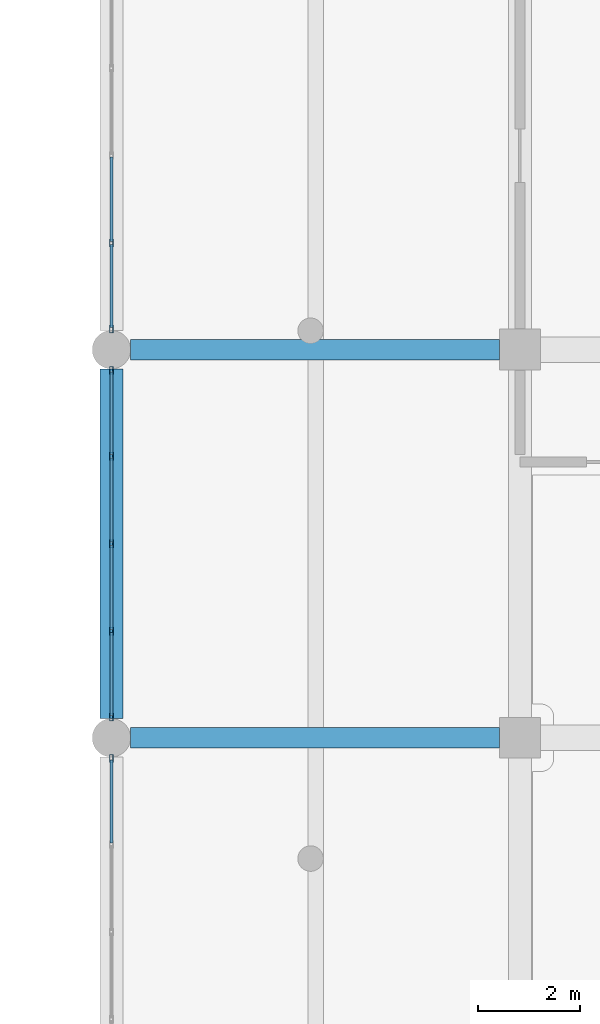
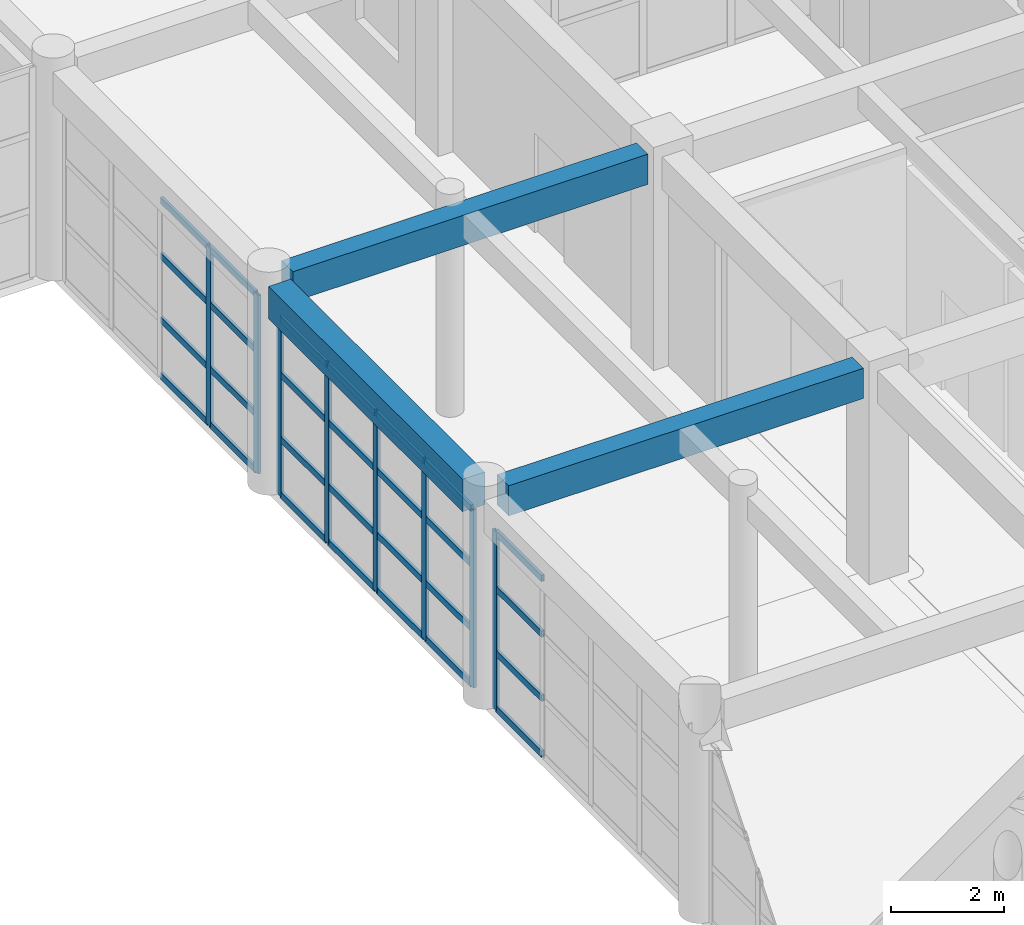
# One storey, part 18 of 101: 36 members, 3 beams, 3 elements without a shape of their own.
"""IFC4 building model written with IfcOpenShell, lengths in metres."""

from ifc_helpers import new_model, si_unit, direction, frame, origin, origin_2d, place, context, subcontext, project, spatial, rectangle, hollow_rectangle, extrude, material, material_profile, profile_set, type_object, element, aggregate, save


model = new_model("IFC4")

# Units and contexts
model_context = context("Model", 3, precision=1e-05, world=origin(), true_north=direction((0.0, 1.0)))
body_context = subcontext(model_context, "Body", "Model", "MODEL_VIEW")
ifc_project = project(units=[si_unit("LENGTHUNIT", "METRE"), si_unit("AREAUNIT", "SQUARE_METRE"), si_unit("VOLUMEUNIT", "CUBIC_METRE"), si_unit("PLANEANGLEUNIT", "RADIAN"), si_unit("MASSUNIT", "GRAM", prefix="KILO")], contexts=[model_context])

# Site, building, storey
site_placement = place(None, origin())
site = spatial("IfcSite", under=ifc_project, at=site_placement, CompositionType="ELEMENT")
building_placement = place(site_placement, origin())
building = spatial("IfcBuilding", under=site, at=building_placement, Name="Zantavel Square City Hall", CompositionType="ELEMENT")
storey_placement = place(building_placement, frame((0.0, 0.0, 5.39990234375)))
storey = spatial("IfcBuildingStorey", under=building, at=storey_placement, Name="L02", CompositionType="ELEMENT", Elevation=5.39990234375)

# Curtain wall, member
ifc_material_1 = material(Name="Anodised aluminium 6063-T6", Category="aluminium")
curtain_wall_type = type_object("IfcCurtainWallType", Name="Curtain Wall CRT 6850x3840", PredefinedType="USERDEFINED", material=ifc_material_1)
curtain_wall_1_placement = place(storey_placement, origin())
curtain_wall_1 = element("IfcCurtainWall", 1, at=curtain_wall_1_placement, inside=storey, type_object=curtain_wall_type, Name="L02 Glazed Curtain Wall CW-L02-078", ObjectType="GLAZED CURTAIN WALL", PredefinedType="USERDEFINED")
ifc_material_profile_1 = material_profile(ifc_material_1, hollow_rectangle(XDim=0.06494140625, YDim=0.14990234375, WallThickness=0.00390625, at=origin_2d()), Name="ALU 65x150x4")
ifc_profile_set_1 = profile_set([ifc_material_profile_1], Name="Anodised aluminium 6063-T6")
member_type_1 = type_object("IfcMemberType", Name="CW Mullion ALU 65x150x4", PredefinedType="MULLION", material=ifc_profile_set_1)
member_1_placement = place(storey_placement, frame((48.0, 52.794921875, 0.0), z_axis=(0.0, 0.0, 1.0), x_axis=(-1.0, 0.0, 0.0)))
member_1 = element("IfcMember", 2, at=member_1_placement, type_object=member_type_1, Name="CW-078 mullion 5", PredefinedType="MULLION", context=body_context, shape_type="SweptSolid", body=[
    extrude(hollow_rectangle(XDim=0.06494140625, YDim=0.14990234375, WallThickness=0.00390625, at=origin_2d()), origin(), (0.0, 0.0, 1.0), 3.840087890625),
])

# Curtain wall, members
curtain_wall_2_placement = place(storey_placement, origin())
curtain_wall_2 = element("IfcCurtainWall", 3, at=curtain_wall_2_placement, inside=storey, type_object=curtain_wall_type, Name="L02 Glazed Curtain Wall CW-L02-079", ObjectType="GLAZED CURTAIN WALL", PredefinedType="USERDEFINED")
member_2_placement = place(storey_placement, frame((48.0, 53.60498046875, 0.0), z_axis=(0.0, 0.0, 1.0), x_axis=(-1.0, 0.0, 0.0)))
member_2 = element("IfcMember", 4, at=member_2_placement, type_object=member_type_1, Name="CW-079 mullion 1", PredefinedType="MULLION", context=body_context, shape_type="SweptSolid", body=[
    extrude(hollow_rectangle(XDim=0.06494140625, YDim=0.14990234375, WallThickness=0.00390625, at=origin_2d()), origin(), (0.0, 0.0, 1.0), 3.840087890625),
])
member_3_placement = place(storey_placement, frame((48.0, 55.28759765625, 0.0), z_axis=(0.0, 0.0, 1.0), x_axis=(-1.0, 0.0, 0.0)))
member_3 = element("IfcMember", 5, at=member_3_placement, type_object=member_type_1, Name="CW-079 mullion 2", PredefinedType="MULLION", context=body_context, shape_type="SweptSolid", body=[
    extrude(hollow_rectangle(XDim=0.06494140625, YDim=0.14990234375, WallThickness=0.00390625, at=origin_2d()), origin(), (0.0, 0.0, 1.0), 3.840087890625),
])
member_4_placement = place(storey_placement, frame((48.0, 57.0, 0.0), z_axis=(0.0, 0.0, 1.0), x_axis=(-1.0, 0.0, 0.0)))
member_4 = element("IfcMember", 6, at=member_4_placement, type_object=member_type_1, Name="CW-079 mullion 3", PredefinedType="MULLION", context=body_context, shape_type="SweptSolid", body=[
    extrude(hollow_rectangle(XDim=0.06494140625, YDim=0.14990234375, WallThickness=0.00390625, at=origin_2d()), origin(), (0.0, 0.0, 1.0), 3.840087890625),
])
member_5_placement = place(storey_placement, frame((48.0, 58.71240234375, 0.0), z_axis=(0.0, 0.0, 1.0), x_axis=(-1.0, 0.0, 0.0)))
member_5 = element("IfcMember", 7, at=member_5_placement, type_object=member_type_1, Name="CW-079 mullion 4", PredefinedType="MULLION", context=body_context, shape_type="SweptSolid", body=[
    extrude(hollow_rectangle(XDim=0.06494140625, YDim=0.14990234375, WallThickness=0.00390625, at=origin_2d()), origin(), (0.0, 0.0, 1.0), 3.840087890625),
])
member_6_placement = place(storey_placement, frame((48.0, 60.39501953125, 0.0), z_axis=(0.0, 0.0, 1.0), x_axis=(-1.0, 0.0, 0.0)))
member_6 = element("IfcMember", 8, at=member_6_placement, type_object=member_type_1, Name="CW-079 mullion 5", PredefinedType="MULLION", context=body_context, shape_type="SweptSolid", body=[
    extrude(hollow_rectangle(XDim=0.06494140625, YDim=0.14990234375, WallThickness=0.00390625, at=origin_2d()), origin(), (0.0, 0.0, 1.0), 3.840087890625),
])

curtain_wall_3_placement = place(storey_placement, origin())
curtain_wall_3 = element("IfcCurtainWall", 9, at=curtain_wall_3_placement, inside=storey, type_object=curtain_wall_type, Name="L02 Glazed Curtain Wall CW-L02-080", ObjectType="GLAZED CURTAIN WALL", PredefinedType="USERDEFINED")
member_7_placement = place(storey_placement, frame((48.0, 61.205078125, 0.0), z_axis=(0.0, 0.0, 1.0), x_axis=(-1.0, 0.0, 0.0)))
member_7 = element("IfcMember", 10, at=member_7_placement, type_object=member_type_1, Name="CW-080 mullion 1", PredefinedType="MULLION", context=body_context, shape_type="SweptSolid", body=[
    extrude(hollow_rectangle(XDim=0.06494140625, YDim=0.14990234375, WallThickness=0.00390625, at=origin_2d()), origin(), (0.0, 0.0, 1.0), 3.840087890625),
])
member_8_placement = place(storey_placement, frame((48.0, 62.887451171875, 0.0), z_axis=(0.0, 0.0, 1.0), x_axis=(-1.0, 0.0, 0.0)))
member_8 = element("IfcMember", 11, at=member_8_placement, type_object=member_type_1, Name="CW-080 mullion 2", PredefinedType="MULLION", context=body_context, shape_type="SweptSolid", body=[
    extrude(hollow_rectangle(XDim=0.06494140625, YDim=0.14990234375, WallThickness=0.00390625, at=origin_2d()), origin(), (0.0, 0.0, 1.0), 3.840087890625),
])

# Member
ifc_material_profile_2 = material_profile(ifc_material_1, hollow_rectangle(XDim=0.06005859375, YDim=0.139892578125, WallThickness=0.00390625, at=origin_2d()), Name="ALU 60x140x4")
ifc_profile_set_2 = profile_set([ifc_material_profile_2], Name="Anodised aluminium 6063-T6")
member_type_2 = type_object("IfcMemberType", Name="CW Transom ALU 60x140x4", PredefinedType="USERDEFINED", material=ifc_profile_set_2)
member_9_placement = place(storey_placement, frame((48.0, 51.142578125, 0.030029296875), z_axis=(0.0, 1.0, 0.0), x_axis=(-1.0, 0.0, 0.0)))
member_9 = element("IfcMember", 12, at=member_9_placement, type_object=member_type_2, Name="CW-078 transom 4.1", ObjectType="TRANSOM", PredefinedType="USERDEFINED", context=body_context, shape_type="SweptSolid", body=[
    extrude(hollow_rectangle(XDim=0.06005859375, YDim=0.139892578125, WallThickness=0.00390625, at=origin_2d()), origin(), (0.0, 0.0, 1.0), 1.622314453125),
])

member_10_placement = place(storey_placement, frame((48.0, 51.142578125, 1.22900390625), z_axis=(0.0, 1.0, 0.0), x_axis=(-1.0, 0.0, 0.0)))
member_10 = element("IfcMember", 13, at=member_10_placement, type_object=member_type_2, Name="CW-078 transom 4.2", ObjectType="TRANSOM", PredefinedType="USERDEFINED", context=body_context, shape_type="SweptSolid", body=[
    extrude(hollow_rectangle(XDim=0.06005859375, YDim=0.139892578125, WallThickness=0.00390625, at=origin_2d()), origin(), (0.0, 0.0, 1.0), 1.622314453125),
])

member_11_placement = place(storey_placement, frame((48.0, 51.142578125, 2.611083984375), z_axis=(0.0, 1.0, 0.0), x_axis=(-1.0, 0.0, 0.0)))
member_11 = element("IfcMember", 14, at=member_11_placement, type_object=member_type_2, Name="CW-078 transom 4.3", ObjectType="TRANSOM", PredefinedType="USERDEFINED", context=body_context, shape_type="SweptSolid", body=[
    extrude(hollow_rectangle(XDim=0.06005859375, YDim=0.139892578125, WallThickness=0.00390625, at=origin_2d()), origin(), (0.0, 0.0, 1.0), 1.622314453125),
])

member_12_placement = place(storey_placement, frame((48.0, 51.142578125, 3.81005859375), z_axis=(0.0, 1.0, 0.0), x_axis=(-1.0, 0.0, 0.0)))
member_12 = element("IfcMember", 15, at=member_12_placement, type_object=member_type_2, Name="CW-078 transom 4.4", ObjectType="TRANSOM", PredefinedType="USERDEFINED", context=body_context, shape_type="SweptSolid", body=[
    extrude(hollow_rectangle(XDim=0.06005859375, YDim=0.139892578125, WallThickness=0.00390625, at=origin_2d()), origin(), (0.0, 0.0, 1.0), 1.622314453125),
])

aggregate(curtain_wall_1, [member_1, member_9, member_10, member_11, member_12])

member_13_placement = place(storey_placement, frame((48.0, 53.635009765625, 0.030029296875), z_axis=(0.0, 1.0, 0.0), x_axis=(-1.0, 0.0, 0.0)))
member_13 = element("IfcMember", 16, at=member_13_placement, type_object=member_type_2, Name="CW-079 transom 1.1", ObjectType="TRANSOM", PredefinedType="USERDEFINED", context=body_context, shape_type="SweptSolid", body=[
    extrude(hollow_rectangle(XDim=0.06005859375, YDim=0.139892578125, WallThickness=0.00390625, at=origin_2d()), origin(), (0.0, 0.0, 1.0), 1.62255859375),
])

member_14_placement = place(storey_placement, frame((48.0, 53.635009765625, 1.22900390625), z_axis=(0.0, 1.0, 0.0), x_axis=(-1.0, 0.0, 0.0)))
member_14 = element("IfcMember", 17, at=member_14_placement, type_object=member_type_2, Name="CW-079 transom 1.2", ObjectType="TRANSOM", PredefinedType="USERDEFINED", context=body_context, shape_type="SweptSolid", body=[
    extrude(hollow_rectangle(XDim=0.06005859375, YDim=0.139892578125, WallThickness=0.00390625, at=origin_2d()), origin(), (0.0, 0.0, 1.0), 1.62255859375),
])

member_15_placement = place(storey_placement, frame((48.0, 53.635009765625, 2.611083984375), z_axis=(0.0, 1.0, 0.0), x_axis=(-1.0, 0.0, 0.0)))
member_15 = element("IfcMember", 18, at=member_15_placement, type_object=member_type_2, Name="CW-079 transom 1.3", ObjectType="TRANSOM", PredefinedType="USERDEFINED", context=body_context, shape_type="SweptSolid", body=[
    extrude(hollow_rectangle(XDim=0.06005859375, YDim=0.139892578125, WallThickness=0.00390625, at=origin_2d()), origin(), (0.0, 0.0, 1.0), 1.62255859375),
])

member_16_placement = place(storey_placement, frame((48.0, 53.635009765625, 3.81005859375), z_axis=(0.0, 1.0, 0.0), x_axis=(-1.0, 0.0, 0.0)))
member_16 = element("IfcMember", 19, at=member_16_placement, type_object=member_type_2, Name="CW-079 transom 1.4", ObjectType="TRANSOM", PredefinedType="USERDEFINED", context=body_context, shape_type="SweptSolid", body=[
    extrude(hollow_rectangle(XDim=0.06005859375, YDim=0.139892578125, WallThickness=0.00390625, at=origin_2d()), origin(), (0.0, 0.0, 1.0), 1.62255859375),
])

member_17_placement = place(storey_placement, frame((48.0, 55.3173828125, 0.030029296875), z_axis=(0.0, 1.0, 0.0), x_axis=(-1.0, 0.0, 0.0)))
member_17 = element("IfcMember", 20, at=member_17_placement, type_object=member_type_2, Name="CW-079 transom 2.1", ObjectType="TRANSOM", PredefinedType="USERDEFINED", context=body_context, shape_type="SweptSolid", body=[
    extrude(hollow_rectangle(XDim=0.06005859375, YDim=0.139892578125, WallThickness=0.00390625, at=origin_2d()), origin(), (0.0, 0.0, 1.0), 1.652587890625),
])

member_18_placement = place(storey_placement, frame((48.0, 55.3173828125, 1.22900390625), z_axis=(0.0, 1.0, 0.0), x_axis=(-1.0, 0.0, 0.0)))
member_18 = element("IfcMember", 21, at=member_18_placement, type_object=member_type_2, Name="CW-079 transom 2.2", ObjectType="TRANSOM", PredefinedType="USERDEFINED", context=body_context, shape_type="SweptSolid", body=[
    extrude(hollow_rectangle(XDim=0.06005859375, YDim=0.139892578125, WallThickness=0.00390625, at=origin_2d()), origin(), (0.0, 0.0, 1.0), 1.652587890625),
])

member_19_placement = place(storey_placement, frame((48.0, 55.3173828125, 2.611083984375), z_axis=(0.0, 1.0, 0.0), x_axis=(-1.0, 0.0, 0.0)))
member_19 = element("IfcMember", 22, at=member_19_placement, type_object=member_type_2, Name="CW-079 transom 2.3", ObjectType="TRANSOM", PredefinedType="USERDEFINED", context=body_context, shape_type="SweptSolid", body=[
    extrude(hollow_rectangle(XDim=0.06005859375, YDim=0.139892578125, WallThickness=0.00390625, at=origin_2d()), origin(), (0.0, 0.0, 1.0), 1.652587890625),
])

member_20_placement = place(storey_placement, frame((48.0, 55.3173828125, 3.81005859375), z_axis=(0.0, 1.0, 0.0), x_axis=(-1.0, 0.0, 0.0)))
member_20 = element("IfcMember", 23, at=member_20_placement, type_object=member_type_2, Name="CW-079 transom 2.4", ObjectType="TRANSOM", PredefinedType="USERDEFINED", context=body_context, shape_type="SweptSolid", body=[
    extrude(hollow_rectangle(XDim=0.06005859375, YDim=0.139892578125, WallThickness=0.00390625, at=origin_2d()), origin(), (0.0, 0.0, 1.0), 1.652587890625),
])

member_21_placement = place(storey_placement, frame((48.0, 57.030029296875, 0.030029296875), z_axis=(0.0, 1.0, 0.0), x_axis=(-1.0, 0.0, 0.0)))
member_21 = element("IfcMember", 24, at=member_21_placement, type_object=member_type_2, Name="CW-079 transom 3.1", ObjectType="TRANSOM", PredefinedType="USERDEFINED", context=body_context, shape_type="SweptSolid", body=[
    extrude(hollow_rectangle(XDim=0.06005859375, YDim=0.139892578125, WallThickness=0.00390625, at=origin_2d()), origin(), (0.0, 0.0, 1.0), 1.652587890625),
])

member_22_placement = place(storey_placement, frame((48.0, 57.030029296875, 1.22900390625), z_axis=(0.0, 1.0, 0.0), x_axis=(-1.0, 0.0, 0.0)))
member_22 = element("IfcMember", 25, at=member_22_placement, type_object=member_type_2, Name="CW-079 transom 3.2", ObjectType="TRANSOM", PredefinedType="USERDEFINED", context=body_context, shape_type="SweptSolid", body=[
    extrude(hollow_rectangle(XDim=0.06005859375, YDim=0.139892578125, WallThickness=0.00390625, at=origin_2d()), origin(), (0.0, 0.0, 1.0), 1.652587890625),
])

member_23_placement = place(storey_placement, frame((48.0, 57.030029296875, 2.611083984375), z_axis=(0.0, 1.0, 0.0), x_axis=(-1.0, 0.0, 0.0)))
member_23 = element("IfcMember", 26, at=member_23_placement, type_object=member_type_2, Name="CW-079 transom 3.3", ObjectType="TRANSOM", PredefinedType="USERDEFINED", context=body_context, shape_type="SweptSolid", body=[
    extrude(hollow_rectangle(XDim=0.06005859375, YDim=0.139892578125, WallThickness=0.00390625, at=origin_2d()), origin(), (0.0, 0.0, 1.0), 1.652587890625),
])

member_24_placement = place(storey_placement, frame((48.0, 57.030029296875, 3.81005859375), z_axis=(0.0, 1.0, 0.0), x_axis=(-1.0, 0.0, 0.0)))
member_24 = element("IfcMember", 27, at=member_24_placement, type_object=member_type_2, Name="CW-079 transom 3.4", ObjectType="TRANSOM", PredefinedType="USERDEFINED", context=body_context, shape_type="SweptSolid", body=[
    extrude(hollow_rectangle(XDim=0.06005859375, YDim=0.139892578125, WallThickness=0.00390625, at=origin_2d()), origin(), (0.0, 0.0, 1.0), 1.652587890625),
])

member_25_placement = place(storey_placement, frame((48.0, 58.742431640625, 0.030029296875), z_axis=(0.0, 1.0, 0.0), x_axis=(-1.0, 0.0, 0.0)))
member_25 = element("IfcMember", 28, at=member_25_placement, type_object=member_type_2, Name="CW-079 transom 4.1", ObjectType="TRANSOM", PredefinedType="USERDEFINED", context=body_context, shape_type="SweptSolid", body=[
    extrude(hollow_rectangle(XDim=0.06005859375, YDim=0.139892578125, WallThickness=0.00390625, at=origin_2d()), origin(), (0.0, 0.0, 1.0), 1.62255859375),
])

member_26_placement = place(storey_placement, frame((48.0, 58.742431640625, 1.22900390625), z_axis=(0.0, 1.0, 0.0), x_axis=(-1.0, 0.0, 0.0)))
member_26 = element("IfcMember", 29, at=member_26_placement, type_object=member_type_2, Name="CW-079 transom 4.2", ObjectType="TRANSOM", PredefinedType="USERDEFINED", context=body_context, shape_type="SweptSolid", body=[
    extrude(hollow_rectangle(XDim=0.06005859375, YDim=0.139892578125, WallThickness=0.00390625, at=origin_2d()), origin(), (0.0, 0.0, 1.0), 1.62255859375),
])

member_27_placement = place(storey_placement, frame((48.0, 58.742431640625, 2.611083984375), z_axis=(0.0, 1.0, 0.0), x_axis=(-1.0, 0.0, 0.0)))
member_27 = element("IfcMember", 30, at=member_27_placement, type_object=member_type_2, Name="CW-079 transom 4.3", ObjectType="TRANSOM", PredefinedType="USERDEFINED", context=body_context, shape_type="SweptSolid", body=[
    extrude(hollow_rectangle(XDim=0.06005859375, YDim=0.139892578125, WallThickness=0.00390625, at=origin_2d()), origin(), (0.0, 0.0, 1.0), 1.62255859375),
])

member_28_placement = place(storey_placement, frame((48.0, 58.742431640625, 3.81005859375), z_axis=(0.0, 1.0, 0.0), x_axis=(-1.0, 0.0, 0.0)))
member_28 = element("IfcMember", 31, at=member_28_placement, type_object=member_type_2, Name="CW-079 transom 4.4", ObjectType="TRANSOM", PredefinedType="USERDEFINED", context=body_context, shape_type="SweptSolid", body=[
    extrude(hollow_rectangle(XDim=0.06005859375, YDim=0.139892578125, WallThickness=0.00390625, at=origin_2d()), origin(), (0.0, 0.0, 1.0), 1.62255859375),
])

aggregate(curtain_wall_2, [member_2, member_3, member_4, member_5, member_6, member_13, member_14, member_15, member_16, member_17, member_18, member_19, member_20, member_21, member_22, member_23, member_24, member_25, member_26, member_27, member_28])

member_29_placement = place(storey_placement, frame((48.0, 61.235107421875, 0.030029296875), z_axis=(0.0, 1.0, 0.0), x_axis=(-1.0, 0.0, 0.0)))
member_29 = element("IfcMember", 32, at=member_29_placement, type_object=member_type_2, Name="CW-080 transom 1.1", ObjectType="TRANSOM", PredefinedType="USERDEFINED", context=body_context, shape_type="SweptSolid", body=[
    extrude(hollow_rectangle(XDim=0.06005859375, YDim=0.139892578125, WallThickness=0.00390625, at=origin_2d()), origin(), (0.0, 0.0, 1.0), 1.622314453125),
])

member_30_placement = place(storey_placement, frame((48.0, 61.235107421875, 1.22900390625), z_axis=(0.0, 1.0, 0.0), x_axis=(-1.0, 0.0, 0.0)))
member_30 = element("IfcMember", 33, at=member_30_placement, type_object=member_type_2, Name="CW-080 transom 1.2", ObjectType="TRANSOM", PredefinedType="USERDEFINED", context=body_context, shape_type="SweptSolid", body=[
    extrude(hollow_rectangle(XDim=0.06005859375, YDim=0.139892578125, WallThickness=0.00390625, at=origin_2d()), origin(), (0.0, 0.0, 1.0), 1.622314453125),
])

member_31_placement = place(storey_placement, frame((48.0, 61.235107421875, 2.611083984375), z_axis=(0.0, 1.0, 0.0), x_axis=(-1.0, 0.0, 0.0)))
member_31 = element("IfcMember", 34, at=member_31_placement, type_object=member_type_2, Name="CW-080 transom 1.3", ObjectType="TRANSOM", PredefinedType="USERDEFINED", context=body_context, shape_type="SweptSolid", body=[
    extrude(hollow_rectangle(XDim=0.06005859375, YDim=0.139892578125, WallThickness=0.00390625, at=origin_2d()), origin(), (0.0, 0.0, 1.0), 1.622314453125),
])

member_32_placement = place(storey_placement, frame((48.0, 61.235107421875, 3.81005859375), z_axis=(0.0, 1.0, 0.0), x_axis=(-1.0, 0.0, 0.0)))
member_32 = element("IfcMember", 35, at=member_32_placement, type_object=member_type_2, Name="CW-080 transom 1.4", ObjectType="TRANSOM", PredefinedType="USERDEFINED", context=body_context, shape_type="SweptSolid", body=[
    extrude(hollow_rectangle(XDim=0.06005859375, YDim=0.139892578125, WallThickness=0.00390625, at=origin_2d()), origin(), (0.0, 0.0, 1.0), 1.622314453125),
])

member_33_placement = place(storey_placement, frame((48.0, 62.91748046875, 0.030029296875), z_axis=(0.0, 1.0, 0.0), x_axis=(-1.0, 0.0, 0.0)))
member_33 = element("IfcMember", 36, at=member_33_placement, type_object=member_type_2, Name="CW-080 transom 2.1", ObjectType="TRANSOM", PredefinedType="USERDEFINED", context=body_context, shape_type="SweptSolid", body=[
    extrude(hollow_rectangle(XDim=0.06005859375, YDim=0.139892578125, WallThickness=0.00390625, at=origin_2d()), origin(), (0.0, 0.0, 1.0), 1.652587890625),
])

member_34_placement = place(storey_placement, frame((48.0, 62.91748046875, 1.22900390625), z_axis=(0.0, 1.0, 0.0), x_axis=(-1.0, 0.0, 0.0)))
member_34 = element("IfcMember", 37, at=member_34_placement, type_object=member_type_2, Name="CW-080 transom 2.2", ObjectType="TRANSOM", PredefinedType="USERDEFINED", context=body_context, shape_type="SweptSolid", body=[
    extrude(hollow_rectangle(XDim=0.06005859375, YDim=0.139892578125, WallThickness=0.00390625, at=origin_2d()), origin(), (0.0, 0.0, 1.0), 1.652587890625),
])

member_35_placement = place(storey_placement, frame((48.0, 62.91748046875, 2.611083984375), z_axis=(0.0, 1.0, 0.0), x_axis=(-1.0, 0.0, 0.0)))
member_35 = element("IfcMember", 38, at=member_35_placement, type_object=member_type_2, Name="CW-080 transom 2.3", ObjectType="TRANSOM", PredefinedType="USERDEFINED", context=body_context, shape_type="SweptSolid", body=[
    extrude(hollow_rectangle(XDim=0.06005859375, YDim=0.139892578125, WallThickness=0.00390625, at=origin_2d()), origin(), (0.0, 0.0, 1.0), 1.652587890625),
])

member_36_placement = place(storey_placement, frame((48.0, 62.91748046875, 3.81005859375), z_axis=(0.0, 1.0, 0.0), x_axis=(-1.0, 0.0, 0.0)))
member_36 = element("IfcMember", 39, at=member_36_placement, type_object=member_type_2, Name="CW-080 transom 2.4", ObjectType="TRANSOM", PredefinedType="USERDEFINED", context=body_context, shape_type="SweptSolid", body=[
    extrude(hollow_rectangle(XDim=0.06005859375, YDim=0.139892578125, WallThickness=0.00390625, at=origin_2d()), origin(), (0.0, 0.0, 1.0), 1.652587890625),
])

aggregate(curtain_wall_3, [member_7, member_8, member_29, member_30, member_31, member_32, member_33, member_34, member_35, member_36])

# Beams
ifc_material_2 = material(Name="Concrete C35/45", Category="concrete")
ifc_material_profile_3 = material_profile(ifc_material_2, rectangle(XDim=0.39990234375, YDim=0.64990234375, at=origin_2d()), Name="RC 400x650")
ifc_profile_set_3 = profile_set([ifc_material_profile_3], Name="Concrete C35/45")
beam_type_1 = type_object("IfcBeamType", Name="Frame Beam RC 400x650 C35/45", PredefinedType="BEAM", material=ifc_profile_set_3)
for number, where, z_axis, x_axis, name in (
    (40, (48.375, 53.199951171875, 4.215087890625), (1.0, 0.0, 0.0), (0.0, 1.0, 0.0), "L02 Girder BMX-L02-0480-0532"),
    (41, (48.375, 60.800048828125, 4.215087890625), (1.0, 0.0, 0.0), (0.0, 1.0, 0.0), "L02 Girder BMX-L02-0480-0608"),
):
    element("IfcBeam", number, at=place(storey_placement, frame(where, z_axis=z_axis, x_axis=x_axis)), inside=storey, type_object=beam_type_1, Name=name, PredefinedType="BEAM", context=body_context, shape_type="SweptSolid", body=[
        extrude(rectangle(XDim=0.39990234375, YDim=0.64990234375, at=origin_2d()), origin(), (0.0, 0.0, 1.0), 7.22509765625),
    ])
ifc_material_profile_4 = material_profile(ifc_material_2, rectangle(XDim=0.449951171875, YDim=0.699951171875, at=origin_2d()), Name="RC 450x700")
ifc_profile_set_4 = profile_set([ifc_material_profile_4], Name="Concrete C35/45")
beam_type_2 = type_object("IfcBeamType", Name="Primary Girder RC 450x700 C35/45", PredefinedType="BEAM", material=ifc_profile_set_4)
beam_placement = place(storey_placement, frame((48.0, 53.574951171875, 4.190185546875), z_axis=(0.0, 1.0, 0.0), x_axis=(-1.0, 0.0, 0.0)))
element("IfcBeam", 42, at=beam_placement, inside=storey, type_object=beam_type_2, Name="L02 Beam BMY-L02-0480-0532", PredefinedType="BEAM", context=body_context, shape_type="SweptSolid", body=[
    extrude(rectangle(XDim=0.449951171875, YDim=0.699951171875, at=origin_2d()), origin(), (0.0, 0.0, 1.0), 6.85009765625),
])

save(model, "model.ifc")
